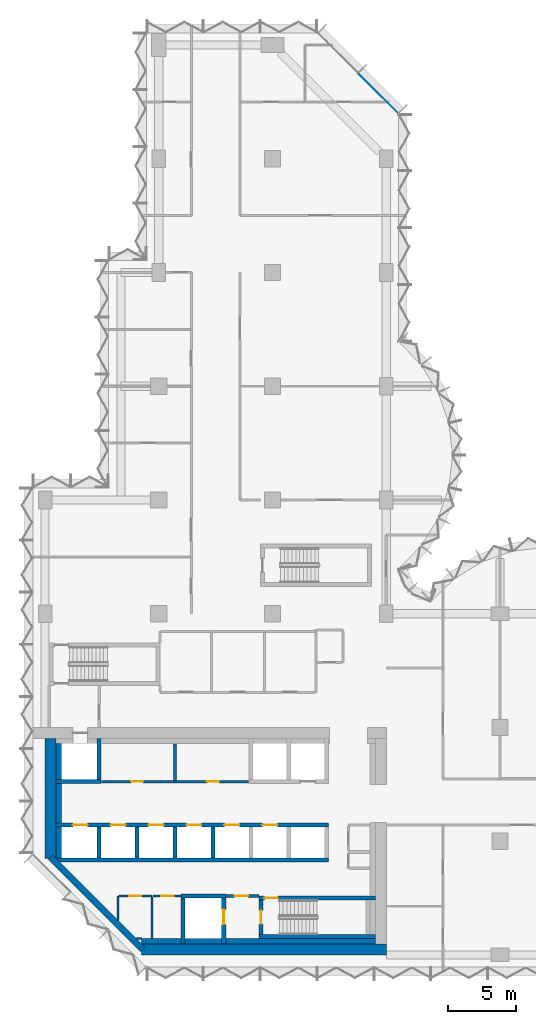
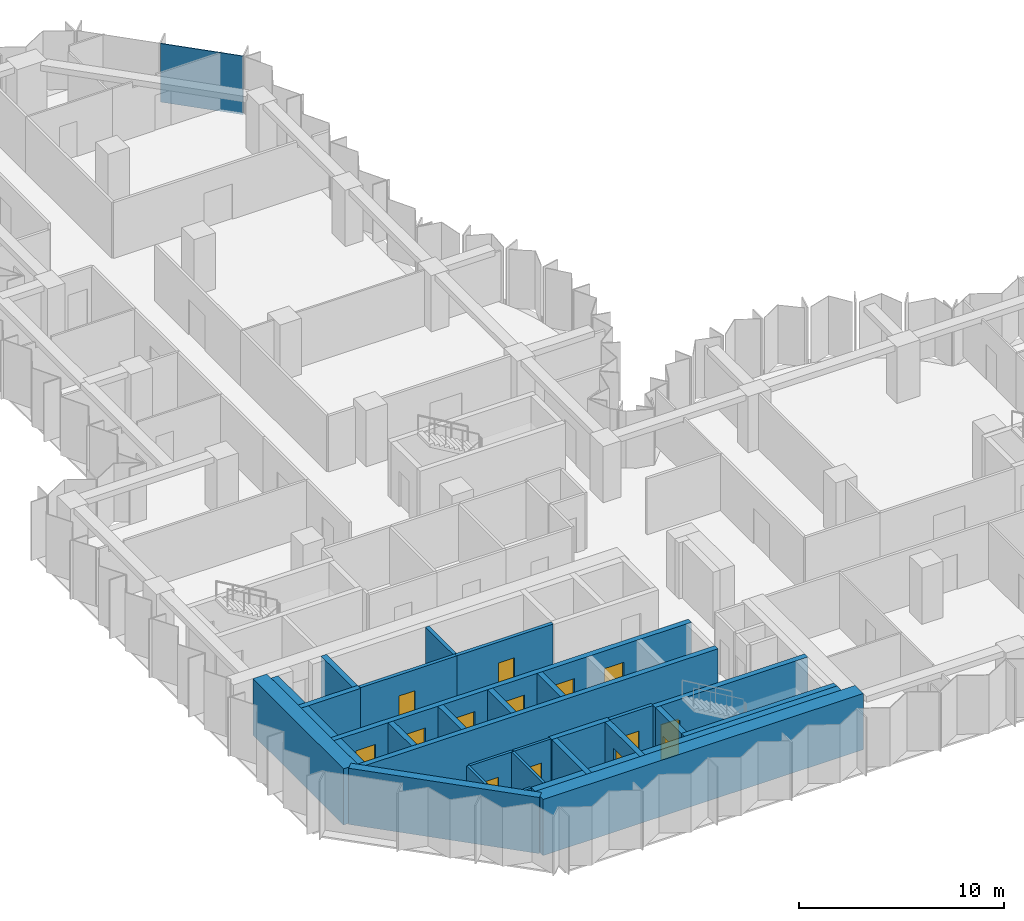
# One storey, part 5 of 11: 32 walls, 14 doors, 1 plate, 14 openings, 1 element without a shape of its own.
"""IFC4 building model written with IfcOpenShell, lengths in metres."""

from ifc_helpers import new_model, si_unit, direction, frame, frame_2d, origin, place, context, subcontext, project, spatial, polyline, rectangle, outline, extrude, material, layer, layer_set, type_object, element, fill, aggregate, save


model = new_model("IFC4")

# Units and contexts
model_context = context("Model", 3, precision=1e-05, world=origin(), true_north=direction((0.0, 1.0)))
body_context = subcontext(model_context, "Body", "Model", "MODEL_VIEW")
ifc_project = project(units=[si_unit("LENGTHUNIT", "METRE"), si_unit("AREAUNIT", "SQUARE_METRE"), si_unit("VOLUMEUNIT", "CUBIC_METRE"), si_unit("PLANEANGLEUNIT", "RADIAN"), si_unit("MASSUNIT", "GRAM", prefix="KILO")], contexts=[model_context])

# Site, building, storey
site_placement = place(None, origin())
site = spatial("IfcSite", under=ifc_project, at=site_placement, CompositionType="ELEMENT")
building_placement = place(site_placement, origin())
building = spatial("IfcBuilding", under=site, at=building_placement, Name="Brevane Broadcast Tower", CompositionType="ELEMENT")
storey_placement = place(building_placement, frame((0.0, 0.0, 142.10009765625)))
storey = spatial("IfcBuildingStorey", under=building, at=storey_placement, Name="L35", CompositionType="ELEMENT", Elevation=142.10009765625)

# Curtain wall, plate
ifc_material_1 = material(Name="Aluminium 6063-T6 bronze anodised", Category="aluminium")
curtain_wall_type = type_object("IfcCurtainWallType", Name="CW-1 curtain wall", PredefinedType="NOTDEFINED", material=ifc_material_1)
curtain_wall_placement = place(storey_placement, origin())
curtain_wall = element("IfcCurtainWall", 1, at=curtain_wall_placement, inside=storey, type_object=curtain_wall_type, Name="CW-1 typical tilted unit L35 north arm north-east chamfer", PredefinedType="NOTDEFINED")
ifc_material_2 = material(Name="Laminated glass bronze-tinted", Category="glass")
ifc_layer_1 = layer(ifc_material_2, 0.0400390625)
ifc_layer_set_1 = layer_set([ifc_layer_1], Name="CW tall glass panel 40")
plate_type = type_object("IfcPlateType", Name="CW tall glass panel 40", PredefinedType="CURTAIN_PANEL", material=ifc_layer_set_1)
plate_placement = place(storey_placement, frame((0.0, 0.0, -0.150146484375)))
plate = element("IfcPlate", 2, at=plate_placement, type_object=plate_type, Name="CW-1 glass panel", PredefinedType="CURTAIN_PANEL", context=body_context, shape_type="SweptSolid", body=[
    extrude(outline(polyline([(26.096435546875, 62.14599609375), (23.14599609375, 65.096435546875), (23.17431640625, 65.124755859375), (26.124755859375, 62.17431640625), (26.096435546875, 62.14599609375)])), origin(), (0.0, 0.0, 1.0), 3.5),
])
aggregate(curtain_wall, [plate])

# Walls
ifc_material_3 = material(Name="Concrete C32/40", Category="concrete")
ifc_layer_2 = layer(ifc_material_3, 0.39990234375)
ifc_layer_set_2 = layer_set([ifc_layer_2], Name="Core chase wall 400 mm")
wall_type_1 = type_object("IfcWallType", Name="Core chase wall 400 mm", PredefinedType="PARTITIONING", material=ifc_layer_set_2)
wall_1_placement = place(storey_placement, frame((1.0, 7.14990234375, 0.0), z_axis=(0.0, 0.0, 1.0), x_axis=(0.0, 1.0, 0.0)))
element("IfcWall", 3, at=wall_1_placement, inside=storey, type_object=wall_type_1, Name="L35 chase wall LW-2-1", PredefinedType="PARTITIONING", context=body_context, shape_type="SweptSolid", body=[
    extrude(rectangle(XDim=2.300048828125, YDim=0.39990234375, at=frame_2d((1.14990234375, 0.0))), origin(), (0.0, 0.0, 1.0), 3.349853515625),
])
wall_2_placement = place(storey_placement, frame((1.0, 9.75, 0.0), z_axis=(0.0, 0.0, 1.0), x_axis=(0.0, 1.0, 0.0)))
element("IfcWall", 4, at=wall_2_placement, inside=storey, type_object=wall_type_1, Name="L35 chase wall LW-2-2-1", PredefinedType="PARTITIONING", context=body_context, shape_type="SweptSolid", body=[
    extrude(rectangle(XDim=2.89990234375, YDim=0.39990234375, at=frame_2d((1.449951171875, 0.0))), origin(), (0.0, 0.0, 1.0), 3.349853515625),
])
wall_3_placement = place(storey_placement, frame((1.0, 12.949951171875, 0.0), z_axis=(0.0, 0.0, 1.0), x_axis=(0.0, 1.0, 0.0)))
element("IfcWall", 5, at=wall_3_placement, inside=storey, type_object=wall_type_1, Name="L35 chase wall LW-2-2-2", PredefinedType="PARTITIONING", context=body_context, shape_type="SweptSolid", body=[
    extrude(rectangle(XDim=2.650146484375, YDim=0.39990234375, at=frame_2d((1.3251953125, 0.0))), origin(), (0.0, 0.0, 1.0), 3.349853515625),
])
wall_4_placement = place(storey_placement, frame((7.136474609375, 1.0, 0.0), z_axis=(0.0, 0.0, 1.0), x_axis=(1.0, 0.0, 0.0)))
element("IfcWall", 6, at=wall_4_placement, inside=storey, type_object=wall_type_1, Name="L35 chase wall LS-1", PredefinedType="PARTITIONING", context=body_context, shape_type="SweptSolid", body=[
    extrude(rectangle(XDim=2.91357421875, YDim=0.39990234375, at=frame_2d((1.456787109375, 0.0))), origin(), (0.0, 0.0, 1.0), 3.349853515625),
])
wall_5_placement = place(storey_placement, frame((10.35009765625, 1.0, 0.0), z_axis=(0.0, 0.0, 1.0), x_axis=(1.0, 0.0, 0.0)))
element("IfcWall", 7, at=wall_5_placement, inside=storey, type_object=wall_type_1, Name="L35 chase wall LS-2-1", PredefinedType="PARTITIONING", context=body_context, shape_type="SweptSolid", body=[
    extrude(rectangle(XDim=2.699951171875, YDim=0.39990234375, at=frame_2d((1.35009765625, 0.0))), origin(), (0.0, 0.0, 1.0), 3.349853515625),
])
wall_6_placement = place(storey_placement, frame((13.35009765625, 1.0, 0.0), z_axis=(0.0, 0.0, 1.0), x_axis=(1.0, 0.0, 0.0)))
element("IfcWall", 8, at=wall_6_placement, inside=storey, type_object=wall_type_1, Name="L35 chase wall LS-2-2", PredefinedType="PARTITIONING", context=body_context, shape_type="SweptSolid", body=[
    extrude(rectangle(XDim=11.0498046875, YDim=0.39990234375, at=frame_2d((5.52490234375, 0.0))), origin(), (0.0, 0.0, 1.0), 3.349853515625),
])
ifc_material_4 = material(Name="Gypsum board on steel studs", Category="steel")
ifc_layer_3 = layer(ifc_material_4, 0.14990234375)
ifc_layer_set_3 = layer_set([ifc_layer_3], Name="Core fire partition 150 mm")
wall_type_2 = type_object("IfcWallType", Name="Core fire partition 150 mm", PredefinedType="PARTITIONING", material=ifc_layer_set_3)
wall_7_placement = place(storey_placement, frame((5.39990234375, 2.553466796875, 0.0), z_axis=(0.0, 0.0, 1.0), x_axis=(0.0, 1.0, 0.0)))
element("IfcWall", 9, at=wall_7_placement, inside=storey, type_object=wall_type_2, Name="L35 partition wall P10", PredefinedType="PARTITIONING", context=body_context, shape_type="SweptSolid", body=[
    extrude(rectangle(XDim=1.796630859375, YDim=0.14990234375, at=frame_2d((0.8984375, 0.0))), origin(), (0.0, 0.0, 1.0), 3.349853515625),
])

# Wall, opening, door
wall_8_placement = place(storey_placement, frame((5.47509765625, 4.35009765625, 0.0), z_axis=(0.0, 0.0, 1.0), x_axis=(1.0, 0.0, 0.0)))
wall_8 = element("IfcWall", 10, at=wall_8_placement, inside=storey, type_object=wall_type_2, Name="L35 partition wall P11", PredefinedType="PARTITIONING", context=body_context, shape_type="SweptSolid", body=[
    extrude(rectangle(XDim=2.4248046875, YDim=0.14990234375, at=frame_2d((1.21240234375, 0.0))), origin(), (0.0, 0.0, 1.0), 3.349853515625),
])
opening_1_placement = place(wall_8_placement, frame((0.72509765625, 0.0, 0.0)))
opening_1 = element("IfcOpeningElement", 11, at=opening_1_placement, cuts=wall_8, Name="Opening L35-K16", PredefinedType="OPENING", context=body_context, shape_type="SweptSolid", body=[
    extrude(rectangle(XDim=0.89990234375, YDim=2.10009765625, at=frame_2d((0.449951171875, 1.050048828125))), frame((0.0, 0.0849609375, 0.0), z_axis=(0.0, -1.0, 0.0), x_axis=(1.0, 0.0, 0.0)), (0.0, 0.0, 1.0), 0.169921875),
])
ifc_material_5 = material(Name="Timber", Category="wood")
door_type_1 = type_object("IfcDoorType", Name="Toilet door 900 x 2100", OperationType="SINGLE_SWING_LEFT", PredefinedType="DOOR", material=ifc_material_5)
door_1_placement = place(opening_1_placement, origin())
door_1 = element("IfcDoor", 12, at=door_1_placement, inside=storey, type_object=door_type_1, Name="Door L35-K16", OperationType="SINGLE_SWING_RIGHT", OverallHeight=2.10009765625, OverallWidth=0.89990234375, PredefinedType="DOOR", context=body_context, shape_type="SweptSolid", body=[
    extrude(rectangle(XDim=0.89990234375, YDim=2.10009765625, at=frame_2d((0.449951171875, 1.050048828125))), frame((0.0, 0.02490234375, 0.0), z_axis=(0.0, -1.0, 0.0), x_axis=(1.0, 0.0, 0.0)), (0.0, 0.0, 1.0), 0.050048828125),
])
fill(opening_1, door_1)

# Walls
wall_9_placement = place(storey_placement, frame((7.89990234375, 4.27490234375, 0.0), z_axis=(0.0, 0.0, 1.0), x_axis=(0.0, -1.0, 0.0)))
element("IfcWall", 13, at=wall_9_placement, inside=storey, type_object=wall_type_2, Name="L35 partition wall P12", PredefinedType="PARTITIONING", context=body_context, shape_type="SweptSolid", body=[
    extrude(rectangle(XDim=3.06298828125, YDim=0.14990234375, at=frame_2d((1.531494140625, 0.0))), origin(), (0.0, 0.0, 1.0), 3.349853515625),
])
wall_10_placement = place(storey_placement, frame((7.12451171875, 1.199951171875, 0.0), z_axis=(0.0, 0.0, 1.0), x_axis=(-1.0, 0.0, 0.0)))
element("IfcWall", 14, at=wall_10_placement, inside=storey, type_object=wall_type_2, Name="L35 partition wall P13", PredefinedType="PARTITIONING", context=body_context, shape_type="SweptSolid", body=[
    extrude(rectangle(XDim=0.37109375, YDim=0.14990234375, at=frame_2d((0.185546875, 0.0))), origin(), (0.0, 0.0, 1.0), 3.349853515625),
])

# Wall, opening, door
wall_11_placement = place(storey_placement, frame((10.0380859375, 4.35009765625, 0.0), z_axis=(0.0, 0.0, 1.0), x_axis=(-1.0, 0.0, 0.0)))
wall_11 = element("IfcWall", 15, at=wall_11_placement, inside=storey, type_object=wall_type_2, Name="L35 partition wall P14", PredefinedType="PARTITIONING", context=body_context, shape_type="SweptSolid", body=[
    extrude(rectangle(XDim=2.06298828125, YDim=0.14990234375, at=frame_2d((1.031494140625, 0.0))), origin(), (0.0, 0.0, 1.0), 3.349853515625),
])
opening_2_placement = place(wall_11_placement, frame((0.5380859375, 0.0, 0.0)))
opening_2 = element("IfcOpeningElement", 16, at=opening_2_placement, cuts=wall_11, Name="Opening L35-K17", PredefinedType="OPENING", context=body_context, shape_type="SweptSolid", body=[
    extrude(rectangle(XDim=0.89990234375, YDim=2.10009765625, at=frame_2d((0.449951171875, 1.050048828125))), frame((0.0, 0.0849609375, 0.0), z_axis=(0.0, -1.0, 0.0), x_axis=(1.0, 0.0, 0.0)), (0.0, 0.0, 1.0), 0.169921875),
])
door_2_placement = place(opening_2_placement, origin())
door_2 = element("IfcDoor", 17, at=door_2_placement, inside=storey, type_object=door_type_1, Name="Door L35-K17", OperationType="SINGLE_SWING_LEFT", OverallHeight=2.10009765625, OverallWidth=0.89990234375, PredefinedType="DOOR", context=body_context, shape_type="SweptSolid", body=[
    extrude(rectangle(XDim=0.89990234375, YDim=2.10009765625, at=frame_2d((0.449951171875, 1.050048828125))), frame((0.0, 0.02490234375, 0.0), z_axis=(0.0, -1.0, 0.0), x_axis=(1.0, 0.0, 0.0)), (0.0, 0.0, 1.0), 0.050048828125),
])
fill(opening_2, door_2)

ifc_layer_4 = layer(ifc_material_4, 0.199951171875)
ifc_layer_set_4 = layer_set([ifc_layer_4], Name="Core fire partition 200 mm")
wall_type_3 = type_object("IfcWallType", Name="Core fire partition 200 mm", PredefinedType="PARTITIONING", material=ifc_layer_set_4)
wall_12_placement = place(storey_placement, frame((13.362060546875, 4.35009765625, 0.0), z_axis=(0.0, 0.0, 1.0), x_axis=(1.0, 0.0, 0.0)))
wall_12 = element("IfcWall", 18, at=wall_12_placement, inside=storey, type_object=wall_type_3, Name="L35 partition wall P03", PredefinedType="PARTITIONING", context=body_context, shape_type="SweptSolid", body=[
    extrude(rectangle(XDim=2.426025390625, YDim=0.199951171875, at=frame_2d((1.212890625, 0.0))), origin(), (0.0, 0.0, 1.0), 3.349853515625),
])
opening_3_placement = place(wall_12_placement, frame((0.637939453125, 0.0, 0.0)))
opening_3 = element("IfcOpeningElement", 19, at=opening_3_placement, cuts=wall_12, Name="Opening L35-K18", PredefinedType="OPENING", context=body_context, shape_type="SweptSolid", body=[
    extrude(rectangle(XDim=1.0, YDim=2.10009765625, at=frame_2d((0.5, 1.050048828125))), frame((0.0, 0.10986328125, 0.0), z_axis=(0.0, -1.0, 0.0), x_axis=(1.0, 0.0, 0.0)), (0.0, 0.0, 1.0), 0.219970703125),
])
ifc_material_6 = material(Name="Steel", Category="steel")
door_type_2 = type_object("IfcDoorType", Name="Stair door 1000 x 2100", OperationType="SINGLE_SWING_LEFT", PredefinedType="DOOR", material=ifc_material_6)
door_3_placement = place(opening_3_placement, origin())
door_3 = element("IfcDoor", 20, at=door_3_placement, inside=storey, type_object=door_type_2, Name="Door L35-K18", OperationType="SINGLE_SWING_RIGHT", OverallHeight=2.10009765625, OverallWidth=1.0, PredefinedType="DOOR", context=body_context, shape_type="SweptSolid", body=[
    extrude(rectangle(XDim=1.0, YDim=2.10009765625, at=frame_2d((0.5, 1.050048828125))), frame((0.0, 0.02490234375, 0.0), z_axis=(0.0, -1.0, 0.0), x_axis=(1.0, 0.0, 0.0)), (0.0, 0.0, 1.0), 0.050048828125),
])
fill(opening_3, door_3)

wall_13_placement = place(storey_placement, frame((4.162109375, 12.800048828125, 0.0), z_axis=(0.0, 0.0, 1.0), x_axis=(1.0, 0.0, 0.0)))
wall_13 = element("IfcWall", 21, at=wall_13_placement, inside=storey, type_object=wall_type_3, Name="L35 partition wall P04", PredefinedType="PARTITIONING", context=body_context, shape_type="SweptSolid", body=[
    extrude(rectangle(XDim=5.43798828125, YDim=0.199951171875, at=frame_2d((2.718994140625, 0.0))), origin(), (0.0, 0.0, 1.0), 3.349853515625),
])
opening_4_placement = place(wall_13_placement, frame((2.18798828125, 0.0, 0.0)))
opening_4 = element("IfcOpeningElement", 22, at=opening_4_placement, cuts=wall_13, Name="Opening L35-K21", PredefinedType="OPENING", context=body_context, shape_type="SweptSolid", body=[
    extrude(rectangle(XDim=0.89990234375, YDim=2.10009765625, at=frame_2d((0.449951171875, 1.050048828125))), frame((0.0, 0.10986328125, 0.0), z_axis=(0.0, -1.0, 0.0), x_axis=(1.0, 0.0, 0.0)), (0.0, 0.0, 1.0), 0.219970703125),
])
door_type_3 = type_object("IfcDoorType", Name="Service room door 900 x 2100", OperationType="SINGLE_SWING_LEFT", PredefinedType="DOOR", material=ifc_material_6)
door_4_placement = place(opening_4_placement, origin())
door_4 = element("IfcDoor", 23, at=door_4_placement, inside=storey, type_object=door_type_3, Name="Door L35-K21", OperationType="SINGLE_SWING_LEFT", OverallHeight=2.10009765625, OverallWidth=0.89990234375, PredefinedType="DOOR", context=body_context, shape_type="SweptSolid", body=[
    extrude(rectangle(XDim=0.89990234375, YDim=2.10009765625, at=frame_2d((0.449951171875, 1.050048828125))), frame((0.0, 0.02490234375, 0.0), z_axis=(0.0, -1.0, 0.0), x_axis=(1.0, 0.0, 0.0)), (0.0, 0.0, 1.0), 0.050048828125),
])
fill(opening_4, door_4)

wall_14_placement = place(storey_placement, frame((9.60009765625, 12.800048828125, 0.0), z_axis=(0.0, 0.0, 1.0), x_axis=(1.0, 0.0, 0.0)))
wall_14 = element("IfcWall", 24, at=wall_14_placement, inside=storey, type_object=wall_type_3, Name="L35 partition wall P05", PredefinedType="PARTITIONING", context=body_context, shape_type="SweptSolid", body=[
    extrude(rectangle(XDim=5.43798828125, YDim=0.199951171875, at=frame_2d((2.718994140625, 0.0))), origin(), (0.0, 0.0, 1.0), 3.349853515625),
])
opening_5_placement = place(wall_14_placement, frame((2.35009765625, 0.0, 0.0)))
opening_5 = element("IfcOpeningElement", 25, at=opening_5_placement, cuts=wall_14, Name="Opening L35-K22", PredefinedType="OPENING", context=body_context, shape_type="SweptSolid", body=[
    extrude(rectangle(XDim=0.89990234375, YDim=2.10009765625, at=frame_2d((0.449951171875, 1.050048828125))), frame((0.0, 0.10986328125, 0.0), z_axis=(0.0, -1.0, 0.0), x_axis=(1.0, 0.0, 0.0)), (0.0, 0.0, 1.0), 0.219970703125),
])
door_5_placement = place(opening_5_placement, origin())
door_5 = element("IfcDoor", 26, at=door_5_placement, inside=storey, type_object=door_type_3, Name="Door L35-K22", OperationType="SINGLE_SWING_RIGHT", OverallHeight=2.10009765625, OverallWidth=0.89990234375, PredefinedType="DOOR", context=body_context, shape_type="SweptSolid", body=[
    extrude(rectangle(XDim=0.89990234375, YDim=2.10009765625, at=frame_2d((0.449951171875, 1.050048828125))), frame((0.0, 0.02490234375, 0.0), z_axis=(0.0, -1.0, 0.0), x_axis=(1.0, 0.0, 0.0)), (0.0, 0.0, 1.0), 0.050048828125),
])
fill(opening_5, door_5)

# Walls
wall_15_placement = place(storey_placement, frame((9.60009765625, 15.587890625, 0.0), z_axis=(0.0, 0.0, 1.0), x_axis=(0.0, -1.0, 0.0)))
element("IfcWall", 27, at=wall_15_placement, inside=storey, type_object=wall_type_3, Name="L35 partition wall P06", PredefinedType="PARTITIONING", context=body_context, shape_type="SweptSolid", body=[
    extrude(rectangle(XDim=2.68798828125, YDim=0.199951171875, at=frame_2d((1.343994140625, 0.0))), origin(), (0.0, 0.0, 1.0), 3.349853515625),
])
ifc_material_7 = material(Name="Concrete C60/75", Category="concrete")
ifc_layer_5 = layer(ifc_material_7, 0.300048828125)
ifc_layer_set_5 = layer_set([ifc_layer_5], Name="Core wall 300 mm C60/75")
wall_type_4 = type_object("IfcWallType", Name="Core wall 300 mm C60/75", PredefinedType="SHEAR", material=ifc_layer_set_5)
wall_16_placement = place(storey_placement, frame((0.800048828125, 7.0, 0.0), z_axis=(0.0, 0.0, 1.0), x_axis=(1.0, 0.0, 0.0)))
element("IfcWall", 28, at=wall_16_placement, inside=storey, type_object=wall_type_4, Name="L35 shaft wall SH-S012-back", PredefinedType="SHEAR", context=body_context, shape_type="SweptSolid", body=[
    extrude(rectangle(XDim=20.14990234375, YDim=0.300048828125, at=frame_2d((10.074951171875, 0.0))), origin(), (0.0, 0.0, 1.0), 3.349853515625),
])

# Wall, openings, doors
wall_17_placement = place(storey_placement, frame((0.800048828125, 9.60009765625, 0.0), z_axis=(0.0, 0.0, 1.0), x_axis=(1.0, 0.0, 0.0)))
wall_17 = element("IfcWall", 29, at=wall_17_placement, inside=storey, type_object=wall_type_4, Name="L35 shaft wall SH-S012-front", PredefinedType="SHEAR", context=body_context, shape_type="SweptSolid", body=[
    extrude(rectangle(XDim=20.14990234375, YDim=0.300048828125, at=frame_2d((10.074951171875, 0.0))), origin(), (0.0, 0.0, 1.0), 3.349853515625),
])
opening_6_placement = place(wall_17_placement, frame((1.25, 0.0, 0.0)))
opening_6 = element("IfcOpeningElement", 30, at=opening_6_placement, cuts=wall_17, Name="Opening LD", PredefinedType="OPENING", context=body_context, shape_type="SweptSolid", body=[
    extrude(rectangle(XDim=1.10009765625, YDim=2.300048828125, at=frame_2d((0.550048828125, 1.14990234375))), frame((0.0, 0.159912109375, 0.0), z_axis=(0.0, -1.0, 0.0), x_axis=(1.0, 0.0, 0.0)), (0.0, 0.0, 1.0), 0.320068359375),
])
opening_7_placement = place(wall_17_placement, frame((4.050048828125, 0.0, 0.0)))
opening_7 = element("IfcOpeningElement", 31, at=opening_7_placement, cuts=wall_17, Name="Opening LD", PredefinedType="OPENING", context=body_context, shape_type="SweptSolid", body=[
    extrude(rectangle(XDim=1.10009765625, YDim=2.300048828125, at=frame_2d((0.550048828125, 1.14990234375))), frame((0.0, 0.159912109375, 0.0), z_axis=(0.0, -1.0, 0.0), x_axis=(1.0, 0.0, 0.0)), (0.0, 0.0, 1.0), 0.320068359375),
])
opening_8_placement = place(wall_17_placement, frame((6.85009765625, 0.0, 0.0)))
opening_8 = element("IfcOpeningElement", 32, at=opening_8_placement, cuts=wall_17, Name="Opening LD", PredefinedType="OPENING", context=body_context, shape_type="SweptSolid", body=[
    extrude(rectangle(XDim=1.10009765625, YDim=2.300048828125, at=frame_2d((0.550048828125, 1.14990234375))), frame((0.0, 0.159912109375, 0.0), z_axis=(0.0, -1.0, 0.0), x_axis=(1.0, 0.0, 0.0)), (0.0, 0.0, 1.0), 0.320068359375),
])
opening_9_placement = place(wall_17_placement, frame((9.64990234375, 0.0, 0.0)))
opening_9 = element("IfcOpeningElement", 33, at=opening_9_placement, cuts=wall_17, Name="Opening LD", PredefinedType="OPENING", context=body_context, shape_type="SweptSolid", body=[
    extrude(rectangle(XDim=1.10009765625, YDim=2.300048828125, at=frame_2d((0.550048828125, 1.14990234375))), frame((0.0, 0.159912109375, 0.0), z_axis=(0.0, -1.0, 0.0), x_axis=(1.0, 0.0, 0.0)), (0.0, 0.0, 1.0), 0.320068359375),
])
opening_10_placement = place(wall_17_placement, frame((12.449951171875, 0.0, 0.0)))
opening_10 = element("IfcOpeningElement", 34, at=opening_10_placement, cuts=wall_17, Name="Opening LD", PredefinedType="OPENING", context=body_context, shape_type="SweptSolid", body=[
    extrude(rectangle(XDim=1.10009765625, YDim=2.300048828125, at=frame_2d((0.550048828125, 1.14990234375))), frame((0.0, 0.159912109375, 0.0), z_axis=(0.0, -1.0, 0.0), x_axis=(1.0, 0.0, 0.0)), (0.0, 0.0, 1.0), 0.320068359375),
])
opening_11_placement = place(wall_17_placement, frame((15.25, 0.0, 0.0)))
opening_11 = element("IfcOpeningElement", 35, at=opening_11_placement, cuts=wall_17, Name="Opening LD", PredefinedType="OPENING", context=body_context, shape_type="SweptSolid", body=[
    extrude(rectangle(XDim=1.10009765625, YDim=2.300048828125, at=frame_2d((0.550048828125, 1.14990234375))), frame((0.0, 0.159912109375, 0.0), z_axis=(0.0, -1.0, 0.0), x_axis=(1.0, 0.0, 0.0)), (0.0, 0.0, 1.0), 0.320068359375),
])
ifc_material_8 = material(Name="Stainless steel", Category="steel")
door_type_4 = type_object("IfcDoorType", Name="Lift landing door", OperationType="SLIDING_TO_LEFT", PredefinedType="DOOR", material=ifc_material_8)
door_6_placement = place(opening_6_placement, origin())
door_6 = element("IfcDoor", 36, at=door_6_placement, inside=storey, type_object=door_type_4, Name="Landing door LR1 L35", OperationType="SLIDING_TO_LEFT", OverallHeight=2.300048828125, OverallWidth=1.10009765625, PredefinedType="DOOR", context=body_context, shape_type="SweptSolid", body=[
    extrude(rectangle(XDim=1.10009765625, YDim=2.300048828125, at=frame_2d((0.550048828125, 1.14990234375))), frame((0.0, 0.02490234375, 0.0), z_axis=(0.0, -1.0, 0.0), x_axis=(1.0, 0.0, 0.0)), (0.0, 0.0, 1.0), 0.050048828125),
])
fill(opening_6, door_6)
door_7_placement = place(opening_7_placement, origin())
door_7 = element("IfcDoor", 37, at=door_7_placement, inside=storey, type_object=door_type_4, Name="Landing door LR2 L35", OperationType="SLIDING_TO_LEFT", OverallHeight=2.300048828125, OverallWidth=1.10009765625, PredefinedType="DOOR", context=body_context, shape_type="SweptSolid", body=[
    extrude(rectangle(XDim=1.10009765625, YDim=2.300048828125, at=frame_2d((0.550048828125, 1.14990234375))), frame((0.0, 0.02490234375, 0.0), z_axis=(0.0, -1.0, 0.0), x_axis=(1.0, 0.0, 0.0)), (0.0, 0.0, 1.0), 0.050048828125),
])
fill(opening_7, door_7)
door_8_placement = place(opening_8_placement, origin())
door_8 = element("IfcDoor", 38, at=door_8_placement, inside=storey, type_object=door_type_4, Name="Landing door LR3 L35", OperationType="SLIDING_TO_LEFT", OverallHeight=2.300048828125, OverallWidth=1.10009765625, PredefinedType="DOOR", context=body_context, shape_type="SweptSolid", body=[
    extrude(rectangle(XDim=1.10009765625, YDim=2.300048828125, at=frame_2d((0.550048828125, 1.14990234375))), frame((0.0, 0.02490234375, 0.0), z_axis=(0.0, -1.0, 0.0), x_axis=(1.0, 0.0, 0.0)), (0.0, 0.0, 1.0), 0.050048828125),
])
fill(opening_8, door_8)
door_9_placement = place(opening_9_placement, origin())
door_9 = element("IfcDoor", 39, at=door_9_placement, inside=storey, type_object=door_type_4, Name="Landing door LR4 L35", OperationType="SLIDING_TO_LEFT", OverallHeight=2.300048828125, OverallWidth=1.10009765625, PredefinedType="DOOR", context=body_context, shape_type="SweptSolid", body=[
    extrude(rectangle(XDim=1.10009765625, YDim=2.300048828125, at=frame_2d((0.550048828125, 1.14990234375))), frame((0.0, 0.02490234375, 0.0), z_axis=(0.0, -1.0, 0.0), x_axis=(1.0, 0.0, 0.0)), (0.0, 0.0, 1.0), 0.050048828125),
])
fill(opening_9, door_9)
door_10_placement = place(opening_10_placement, origin())
door_10 = element("IfcDoor", 40, at=door_10_placement, inside=storey, type_object=door_type_4, Name="Landing door LR5 L35", OperationType="SLIDING_TO_LEFT", OverallHeight=2.300048828125, OverallWidth=1.10009765625, PredefinedType="DOOR", context=body_context, shape_type="SweptSolid", body=[
    extrude(rectangle(XDim=1.10009765625, YDim=2.300048828125, at=frame_2d((0.550048828125, 1.14990234375))), frame((0.0, 0.02490234375, 0.0), z_axis=(0.0, -1.0, 0.0), x_axis=(1.0, 0.0, 0.0)), (0.0, 0.0, 1.0), 0.050048828125),
])
fill(opening_10, door_10)
door_11_placement = place(opening_11_placement, origin())
door_11 = element("IfcDoor", 41, at=door_11_placement, inside=storey, type_object=door_type_4, Name="Landing door LR6 L35", OperationType="SLIDING_TO_LEFT", OverallHeight=2.300048828125, OverallWidth=1.10009765625, PredefinedType="DOOR", context=body_context, shape_type="SweptSolid", body=[
    extrude(rectangle(XDim=1.10009765625, YDim=2.300048828125, at=frame_2d((0.550048828125, 1.14990234375))), frame((0.0, 0.02490234375, 0.0), z_axis=(0.0, -1.0, 0.0), x_axis=(1.0, 0.0, 0.0)), (0.0, 0.0, 1.0), 0.050048828125),
])
fill(opening_11, door_11)

# Walls
for number, where, z_axis, x_axis, name in (
    (42, (4.0, 7.14990234375, 0.0), (0.0, 0.0, 1.0), (0.0, 1.0, 0.0), "L35 shaft wall SH-S-P040"),
    (43, (6.800048828125, 7.14990234375, 0.0), (0.0, 0.0, 1.0), (0.0, 1.0, 0.0), "L35 shaft wall SH-S-P068"),
    (44, (9.60009765625, 7.14990234375, 0.0), (0.0, 0.0, 1.0), (0.0, 1.0, 0.0), "L35 shaft wall SH-S-P096"),
    (45, (12.39990234375, 7.14990234375, 0.0), (0.0, 0.0, 1.0), (0.0, 1.0, 0.0), "L35 shaft wall SH-S-P124"),
):
    element("IfcWall", number, at=place(storey_placement, frame(where, z_axis=z_axis, x_axis=x_axis)), inside=storey, type_object=wall_type_4, Name=name, PredefinedType="SHEAR", context=body_context, shape_type="SweptSolid", body=[
        extrude(rectangle(XDim=2.300048828125, YDim=0.300048828125, at=frame_2d((1.14990234375, 0.0))), origin(), (0.0, 0.0, 1.0), 3.349853515625),
    ])
wall_18_placement = place(storey_placement, frame((0.800048828125, 12.800048828125, 0.0), z_axis=(0.0, 0.0, 1.0), x_axis=(1.0, 0.0, 0.0)))
element("IfcWall", 46, at=wall_18_placement, inside=storey, type_object=wall_type_4, Name="L35 shaft wall SH-N012-front", PredefinedType="SHEAR", context=body_context, shape_type="SweptSolid", body=[
    extrude(rectangle(XDim=3.349853515625, YDim=0.300048828125, at=frame_2d((1.6748046875, 0.0))), origin(), (0.0, 0.0, 1.0), 3.349853515625),
])
wall_19_placement = place(storey_placement, frame((4.0, 12.949951171875, 0.0), z_axis=(0.0, 0.0, 1.0), x_axis=(0.0, 1.0, 0.0)))
element("IfcWall", 47, at=wall_19_placement, inside=storey, type_object=wall_type_4, Name="L35 shaft wall SH-N-P040", PredefinedType="SHEAR", context=body_context, shape_type="SweptSolid", body=[
    extrude(rectangle(XDim=3.050048828125, YDim=0.300048828125, at=frame_2d((1.52490234375, 0.0))), origin(), (0.0, 0.0, 1.0), 3.349853515625),
])
wall_20_placement = place(storey_placement, frame((10.199951171875, 0.800048828125, 0.0), z_axis=(0.0, 0.0, 1.0), x_axis=(0.0, 1.0, 0.0)))
element("IfcWall", 48, at=wall_20_placement, inside=storey, type_object=wall_type_4, Name="L35 shaft wall FF2-W", PredefinedType="SHEAR", context=body_context, shape_type="SweptSolid", body=[
    extrude(rectangle(XDim=3.39990234375, YDim=0.300048828125, at=frame_2d((1.699951171875, 0.0))), origin(), (0.0, 0.0, 1.0), 3.349853515625),
])

# Wall, opening, door
wall_21_placement = place(storey_placement, frame((13.199951171875, 0.800048828125, 0.0), z_axis=(0.0, 0.0, 1.0), x_axis=(0.0, 1.0, 0.0)))
wall_21 = element("IfcWall", 49, at=wall_21_placement, inside=storey, type_object=wall_type_4, Name="L35 shaft wall FF2-E", PredefinedType="SHEAR", context=body_context, shape_type="SweptSolid", body=[
    extrude(rectangle(XDim=3.39990234375, YDim=0.300048828125, at=frame_2d((1.699951171875, 0.0))), origin(), (0.0, 0.0, 1.0), 3.349853515625),
])
opening_12_placement = place(wall_21_placement, frame((1.449951171875, 0.0, 0.0)))
opening_12 = element("IfcOpeningElement", 50, at=opening_12_placement, cuts=wall_21, Name="Opening LD", PredefinedType="OPENING", context=body_context, shape_type="SweptSolid", body=[
    extrude(rectangle(XDim=1.10009765625, YDim=2.300048828125, at=frame_2d((0.550048828125, 1.14990234375))), frame((0.0, 0.159912109375, 0.0), z_axis=(0.0, -1.0, 0.0), x_axis=(1.0, 0.0, 0.0)), (0.0, 0.0, 1.0), 0.320068359375),
])
door_12_placement = place(opening_12_placement, origin())
door_12 = element("IfcDoor", 51, at=door_12_placement, inside=storey, type_object=door_type_4, Name="Landing door FF2 L35", OperationType="SLIDING_TO_LEFT", OverallHeight=2.300048828125, OverallWidth=1.10009765625, PredefinedType="DOOR", context=body_context, shape_type="SweptSolid", body=[
    extrude(rectangle(XDim=1.10009765625, YDim=2.300048828125, at=frame_2d((0.550048828125, 1.14990234375))), frame((0.0, 0.02490234375, 0.0), z_axis=(0.0, -1.0, 0.0), x_axis=(1.0, 0.0, 0.0)), (0.0, 0.0, 1.0), 0.050048828125),
])
fill(opening_12, door_12)

# Walls
wall_22_placement = place(storey_placement, frame((10.050048828125, 4.35009765625, 0.0), z_axis=(0.0, 0.0, 1.0), x_axis=(1.0, 0.0, 0.0)))
element("IfcWall", 52, at=wall_22_placement, inside=storey, type_object=wall_type_4, Name="L35 shaft wall FF2-N", PredefinedType="SHEAR", context=body_context, shape_type="SweptSolid", body=[
    extrude(rectangle(XDim=3.300048828125, YDim=0.300048828125, at=frame_2d((1.64990234375, 0.0))), origin(), (0.0, 0.0, 1.0), 3.349853515625),
])
wall_23_placement = place(storey_placement, frame((15.800048828125, 1.35009765625, 0.0), z_axis=(0.0, 0.0, 1.0), x_axis=(1.0, 0.0, 0.0)))
element("IfcWall", 53, at=wall_23_placement, inside=storey, type_object=wall_type_4, Name="L35 stair wall ST-2-S", PredefinedType="SHEAR", context=body_context, shape_type="SweptSolid", body=[
    extrude(rectangle(XDim=8.599853515625, YDim=0.300048828125, at=frame_2d((4.2998046875, 0.0))), origin(), (0.0, 0.0, 1.0), 3.349853515625),
])

# Wall, opening, door
wall_24_placement = place(storey_placement, frame((15.800048828125, 4.199951171875, 0.0), z_axis=(0.0, 0.0, 1.0), x_axis=(1.0, 0.0, 0.0)))
wall_24 = element("IfcWall", 54, at=wall_24_placement, inside=storey, type_object=wall_type_4, Name="L35 stair wall ST-2-N", PredefinedType="SHEAR", context=body_context, shape_type="SweptSolid", body=[
    extrude(rectangle(XDim=8.599853515625, YDim=0.300048828125, at=frame_2d((4.2998046875, 0.0))), origin(), (0.0, 0.0, 1.0), 3.349853515625),
])
opening_13_placement = place(wall_24_placement, frame((0.39990234375, 0.0, 0.0)))
opening_13 = element("IfcOpeningElement", 55, at=opening_13_placement, cuts=wall_24, Name="Opening L35-K13", PredefinedType="OPENING", context=body_context, shape_type="SweptSolid", body=[
    extrude(rectangle(XDim=1.0, YDim=2.10009765625, at=frame_2d((0.5, 1.050048828125))), frame((0.0, 0.159912109375, 0.0), z_axis=(0.0, -1.0, 0.0), x_axis=(1.0, 0.0, 0.0)), (0.0, 0.0, 1.0), 0.320068359375),
])
door_13_placement = place(opening_13_placement, origin())
door_13 = element("IfcDoor", 56, at=door_13_placement, inside=storey, type_object=door_type_2, Name="Door L35-K13", OperationType="SINGLE_SWING_LEFT", OverallHeight=2.10009765625, OverallWidth=1.0, PredefinedType="DOOR", context=body_context, shape_type="SweptSolid", body=[
    extrude(rectangle(XDim=1.0, YDim=2.10009765625, at=frame_2d((0.5, 1.050048828125))), frame((0.0, 0.02490234375, 0.0), z_axis=(0.0, -1.0, 0.0), x_axis=(1.0, 0.0, 0.0)), (0.0, 0.0, 1.0), 0.050048828125),
])
fill(opening_13, door_13)

wall_25_placement = place(storey_placement, frame((15.949951171875, 1.5, 0.0), z_axis=(0.0, 0.0, 1.0), x_axis=(0.0, 1.0, 0.0)))
wall_25 = element("IfcWall", 57, at=wall_25_placement, inside=storey, type_object=wall_type_4, Name="L35 stair wall ST-2-W", PredefinedType="SHEAR", context=body_context, shape_type="SweptSolid", body=[
    extrude(rectangle(XDim=2.550048828125, YDim=0.300048828125, at=frame_2d((1.27490234375, 0.0))), origin(), (0.0, 0.0, 1.0), 3.349853515625),
])
opening_14_placement = place(wall_25_placement, frame((0.800048828125, 0.0, 0.0)))
opening_14 = element("IfcOpeningElement", 58, at=opening_14_placement, cuts=wall_25, Name="Opening L35-K12", PredefinedType="OPENING", context=body_context, shape_type="SweptSolid", body=[
    extrude(rectangle(XDim=1.0, YDim=2.10009765625, at=frame_2d((0.5, 1.050048828125))), frame((0.0, 0.159912109375, 0.0), z_axis=(0.0, -1.0, 0.0), x_axis=(1.0, 0.0, 0.0)), (0.0, 0.0, 1.0), 0.320068359375),
])
door_14_placement = place(opening_14_placement, origin())
door_14 = element("IfcDoor", 59, at=door_14_placement, inside=storey, type_object=door_type_2, Name="Door L35-K12", OperationType="SINGLE_SWING_RIGHT", OverallHeight=2.10009765625, OverallWidth=1.0, PredefinedType="DOOR", context=body_context, shape_type="SweptSolid", body=[
    extrude(rectangle(XDim=1.0, YDim=2.10009765625, at=frame_2d((0.5, 1.050048828125))), frame((0.0, 0.02490234375, 0.0), z_axis=(0.0, -1.0, 0.0), x_axis=(1.0, 0.0, 0.0)), (0.0, 0.0, 1.0), 0.050048828125),
])
fill(opening_14, door_14)

# Walls
ifc_layer_6 = layer(ifc_material_7, 0.449951171875)
ifc_layer_set_6 = layer_set([ifc_layer_6], Name="Core wall 450 mm C60/75")
wall_type_5 = type_object("IfcWallType", Name="Core wall 450 mm C60/75", PredefinedType="SHEAR", material=ifc_layer_set_6)
wall_26_placement = place(storey_placement, frame((0.39990234375, 7.21826171875, 0.0), z_axis=(0.0, 0.0, 1.0), x_axis=(0.707106781187, -0.707106781187, 0.0)))
element("IfcWall", 60, at=wall_26_placement, inside=storey, type_object=wall_type_5, Name="L35 outer wall WC", PredefinedType="SHEAR", context=body_context, shape_type="SweptSolid", body=[
    extrude(rectangle(XDim=9.642578125, YDim=0.449951171875, at=frame_2d((4.8212890625, 0.0))), origin(), (0.0, 0.0, 1.0), 3.349853515625),
])
ifc_layer_7 = layer(ifc_material_7, 0.800048828125)
ifc_layer_set_7 = layer_set([ifc_layer_7], Name="Core wall 800 mm C60/75")
wall_type_6 = type_object("IfcWallType", Name="Core wall 800 mm C60/75", PredefinedType="SHEAR", material=ifc_layer_set_7)
wall_27_placement = place(storey_placement, frame((7.136474609375, 0.39990234375, 0.0), z_axis=(0.0, 0.0, 1.0), x_axis=(1.0, 0.0, 0.0)))
element("IfcWall", 61, at=wall_27_placement, inside=storey, type_object=wall_type_6, Name="L35 outer wall WS", PredefinedType="SHEAR", context=body_context, shape_type="SweptSolid", body=[
    extrude(rectangle(XDim=18.0634765625, YDim=0.800048828125, at=frame_2d((9.03173828125, 0.0))), origin(), (0.0, 0.0, 1.0), 3.349853515625),
])
wall_28_placement = place(storey_placement, frame((0.39990234375, 7.136474609375, 0.0), z_axis=(0.0, 0.0, 1.0), x_axis=(0.0, 1.0, 0.0)))
element("IfcWall", 62, at=wall_28_placement, inside=storey, type_object=wall_type_6, Name="L35 outer wall WW", PredefinedType="SHEAR", context=body_context, shape_type="SweptSolid", body=[
    extrude(rectangle(XDim=8.863525390625, YDim=0.800048828125, at=frame_2d((4.431640625, 0.0))), origin(), (0.0, 0.0, 1.0), 3.349853515625),
])

save(model, "model.ifc")
